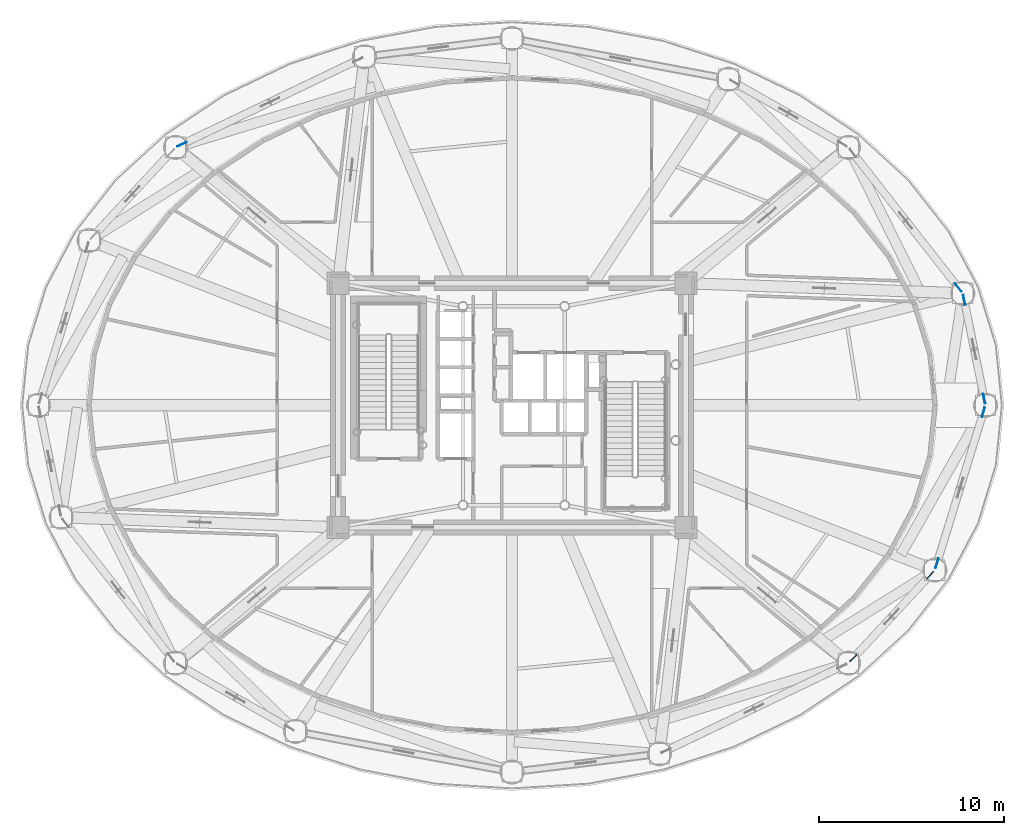
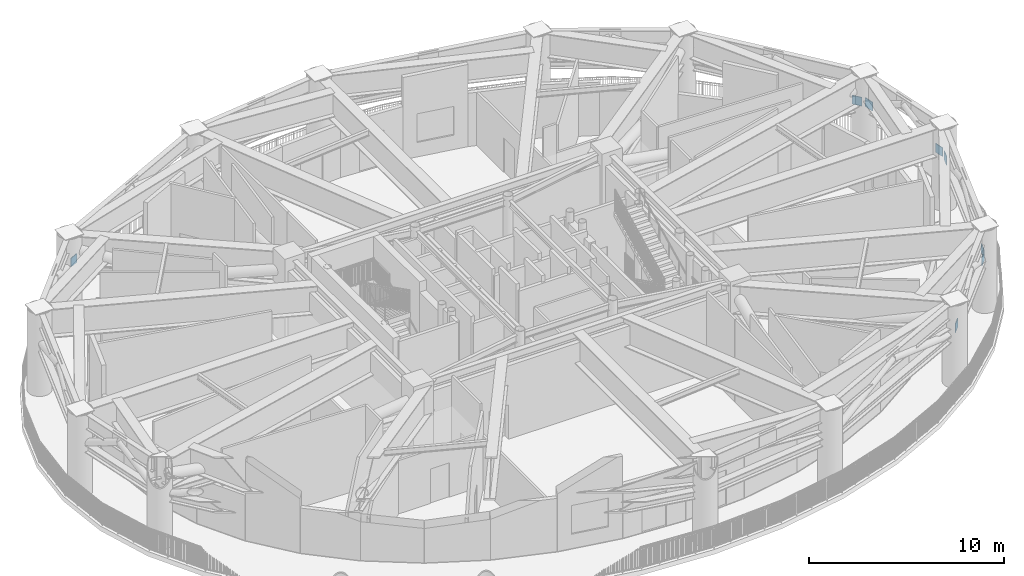
# One storey, part 8 of 20: 8 plates.
"""IFC4 building model written with IfcOpenShell, lengths in metres."""

from ifc_helpers import new_model, si_unit, direction, frame, origin, origin_2d, place, context, subcontext, project, spatial, rectangle, extrude, source, transform, mapped, material, layer, layer_set, type_object, element, save


model = new_model("IFC4")

# Units and contexts
model_context = context("Model", 3, precision=1e-05, world=origin(), true_north=direction((0.0, 1.0)))
body_context = subcontext(model_context, "Body", "Model", "MODEL_VIEW")
ifc_project = project(units=[si_unit("LENGTHUNIT", "METRE"), si_unit("AREAUNIT", "SQUARE_METRE"), si_unit("VOLUMEUNIT", "CUBIC_METRE"), si_unit("PLANEANGLEUNIT", "RADIAN"), si_unit("MASSUNIT", "GRAM", prefix="KILO")], contexts=[model_context])

# Site, building, storey
site_placement = place(None, origin())
site = spatial("IfcSite", under=ifc_project, at=site_placement, CompositionType="ELEMENT")
building_placement = place(site_placement, origin())
building = spatial("IfcBuilding", under=site, at=building_placement, Name="Linh Dai School and Residence Tower", CompositionType="ELEMENT")
storey_placement = place(building_placement, frame((0.0, 0.0, 204.89990234375)))
storey = spatial("IfcBuildingStorey", under=building, at=storey_placement, Name="L50", CompositionType="ELEMENT", Elevation=204.89990234375)

# Plates
ifc_material = material(Name="Structural Steel S355JR", Category="steel")
ifc_layer = layer(ifc_material, 0.0400390625)
ifc_layer_set = layer_set([ifc_layer], Name="Structural Steel S355JR")
plate_type = type_object("IfcPlateType", Name="PLT-GP1", PredefinedType="USERDEFINED", material=ifc_layer_set)
shared_shape = source(origin(), body_context, "Body", "SweptSolid", [
    extrude(rectangle(XDim=0.550048828125, YDim=0.0400390625, at=origin_2d()), origin(), (0.0, 0.0, 1.0), 0.550048828125),
])
for number, where, z_axis, x_axis, name in (
    (1, (61.526611328125, 27.363037109375, 2.97314453125), (0.0, 0.0, 1.0), (-0.198423978756, 0.98011628119, 0.0), "L50 Belt Truss BT3 Root End Gusset 01A"),
    (2, (60.447998046875, 32.6904296875, 2.97314453125), (0.0, 0.0, 1.0), (-0.198423978756, 0.98011628119, 0.0), "L50 Belt Truss BT3 Root End Gusset 01B"),
    (3, (60.12841796875, 33.36767578125, 2.90625), (0.0, 0.0, 1.0), (-0.616842561711, 0.787086560717, 0.0), "L50 Belt Truss BT3 Root End Gusset 02A"),
    (4, (18.171142578125, 41.115966796875, 2.892578125), (0.0, 0.0, 1.0), (-0.901714218118, -0.432332590541, 0.0), "L50 Belt Truss BT3 Root End Gusset 06B"),
    (5, (54.449951171875, 13.335693359375, 2.95703125), (0.0, 0.0, 1.0), (0.680367716843, 0.732870909423, 0.0), "L50 Belt Truss BT3 Root End Gusset 15A"),
    (6, (58.60498046875, 17.811279296875, 2.95703125), (0.0, 0.0, 1.0), (0.680367716843, 0.732870909423, 0.0), "L50 Belt Truss BT3 Root End Gusset 15B"),
    (7, (58.978759765625, 18.46728515625, 2.9150390625), (0.0, 0.0, 1.0), (0.293644327933, 0.955914749689, 0.0), "L50 Belt Truss BT3 Root End Gusset 16A"),
    (8, (61.483642578125, 26.62158203125, 2.9150390625), (0.0, 0.0, 1.0), (0.293644327933, 0.955914749689, 0.0), "L50 Belt Truss BT3 Root End Gusset 16B"),
):
    element("IfcPlate", number, at=place(storey_placement, frame(where, z_axis=z_axis, x_axis=x_axis)), inside=storey, type_object=plate_type, Name=name, ObjectType="GUSSET PLATE", PredefinedType="USERDEFINED", context=body_context, shape_type="MappedRepresentation", body=[
        mapped(shared_shape, transform((0.0, 0.0, 0.0), x_axis=(1.0, 0.0, 0.0), y_axis=(0.0, 1.0, 0.0), z_axis=(0.0, 0.0, 1.0), scale=1.0)),
    ])

save(model, "model.ifc")
